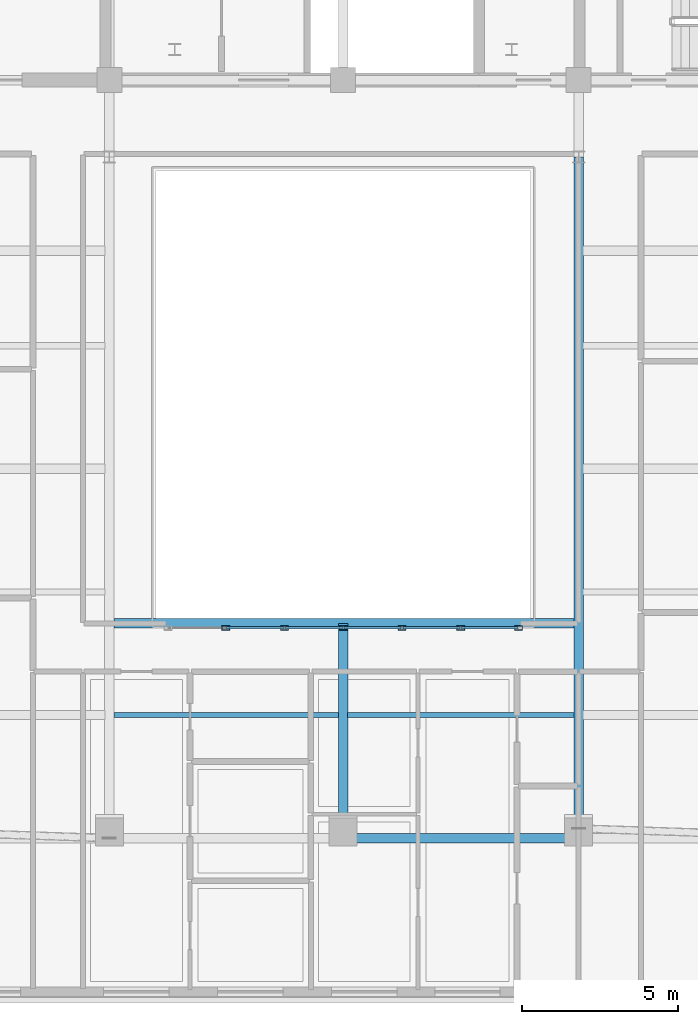
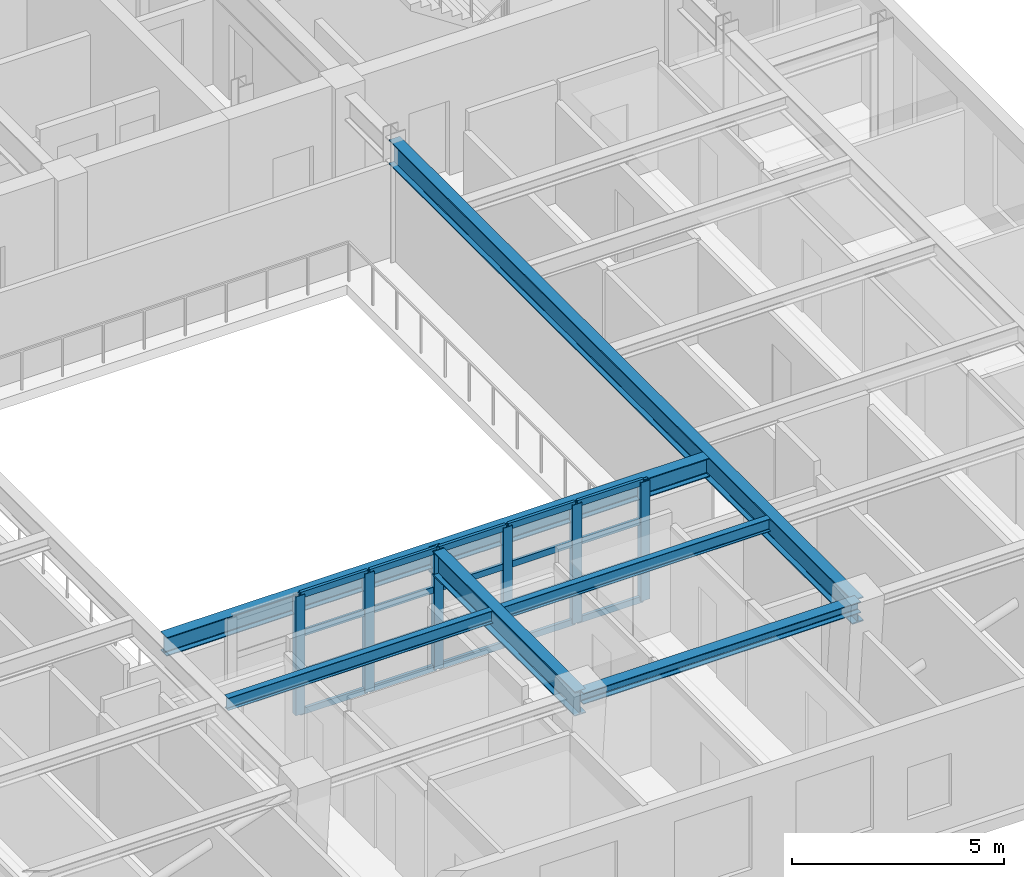
# One storey, part 3 of 13: 26 members, 6 beams, 1 element without a shape of its own.
"""IFC4 building model written with IfcOpenShell, lengths in metres."""

import ifcopenshell
import ifcopenshell.guid

model = None  # the IFC model being written
_history = None  # IfcOwnerHistory: only IFC2X3 demands one
_inside = {}  # id of a spatial element -> (the spatial element, [elements in it])
_under = {}  # id of a project, library or spatial element -> (it, [spatial elements below it])
_declared = {}  # id of a project -> (the project, [libraries it declares])
_typed = {}  # id of a type object -> (the type object, [elements of that type])
_made_of = {}  # id of a material, layer set ... -> (it, [elements and type objects made of it])


def new_model(schema):
    """Start an empty IFC model of exactly this schema.

    Asked for "IFC4X3", IfcOpenShell would pick the latest addendum, in which some entities
    have other attributes; the version numbers below select the first issue.
    IFC2X3 requires an IfcOwnerHistory on every rooted entity: one is made here for all.
    """
    global model, _history
    if schema == "IFC4X3":
        model = ifcopenshell.file(schema_version=(4, 3, 0, 0))
    else:
        model = ifcopenshell.file(schema=schema)
    _inside.clear()
    _under.clear()
    _declared.clear()
    _typed.clear()
    _made_of.clear()
    _history = None
    if model.schema == "IFC2X3":
        org = make("IfcOrganization", Name="unknown")
        user = make(
            "IfcPersonAndOrganization",
            ThePerson=make("IfcPerson", FamilyName="unknown"),
            TheOrganization=org,
        )
        app = make(
            "IfcApplication",
            ApplicationDeveloper=org,
            Version="unknown",
            ApplicationFullName="unknown",
            ApplicationIdentifier="unknown",
        )
        _history = make(
            "IfcOwnerHistory",
            OwningUser=user,
            OwningApplication=app,
            ChangeAction="ADDED",
            CreationDate=0,
        )
    return model


def make(cls, **values):
    """One entity of the class cls with the attributes given. An attribute that is None is left unset."""
    return model.create_entity(
        cls, **{name: value for name, value in values.items() if value is not None}
    )


def rooted(cls, **values):
    """An entity with a GlobalId (a new one), such as an element, a storey or a relation."""
    return make(cls, GlobalId=ifcopenshell.guid.new(), OwnerHistory=_history, **values)


def si_unit(unit_type, name, prefix=None):
    """IfcSIUnit, for example si_unit("LENGTHUNIT", "METRE", prefix="MILLI")."""
    return make("IfcSIUnit", UnitType=unit_type, Prefix=prefix, Name=name)


def assignment(units):
    """IfcUnitAssignment: the units of a project."""
    return None if units is None else make("IfcUnitAssignment", Units=units)


def point(xyz):
    """IfcCartesianPoint."""
    return None if xyz is None else make("IfcCartesianPoint", Coordinates=xyz)


def direction(xyz):
    """IfcDirection."""
    return None if xyz is None else make("IfcDirection", DirectionRatios=xyz)


def frame(location, z_axis=None, x_axis=None):
    """IfcAxis2Placement3D, a coordinate frame: its origin and axes. An axis left out is left unset."""
    return make(
        "IfcAxis2Placement3D",
        Location=point(location),
        Axis=direction(z_axis),
        RefDirection=direction(x_axis),
    )


def frame_2d(location, x_axis=None):
    """IfcAxis2Placement2D, a coordinate frame in the plane: its origin and x axis."""
    return make(
        "IfcAxis2Placement2D", Location=point(location), RefDirection=direction(x_axis)
    )


def origin():
    """The frame at (0, 0, 0) with its axes left unset."""
    return frame((0.0, 0.0, 0.0))


def origin_2d():
    """The frame at (0, 0) in the plane with its x axis left unset."""
    return frame_2d((0.0, 0.0))


def place(relative_to, where):
    """IfcLocalPlacement: puts the frame where relative to a parent placement (None: the world)."""
    return make(
        "IfcLocalPlacement", PlacementRelTo=relative_to, RelativePlacement=where
    )


def context(
    kind, dimensions, precision=None, world=None, true_north=None, identifier=None
):
    """IfcGeometricRepresentationContext, for example the 3D "Model" context."""
    return make(
        "IfcGeometricRepresentationContext",
        ContextIdentifier=identifier,
        ContextType=kind,
        CoordinateSpaceDimension=dimensions,
        Precision=precision,
        WorldCoordinateSystem=world,
        TrueNorth=true_north,
    )


def subcontext(parent, identifier, kind, view, scale=None):
    """IfcGeometricRepresentationSubContext, for example "Body" below "Model"."""
    return make(
        "IfcGeometricRepresentationSubContext",
        ContextIdentifier=identifier,
        ContextType=kind,
        ParentContext=parent,
        TargetScale=scale,
        TargetView=view,
    )


def project(units=None, contexts=None):
    """IfcProject with its units and contexts."""
    return rooted(
        "IfcProject",
        Name="project",
        RepresentationContexts=contexts,
        UnitsInContext=assignment(units),
    )


def spatial(cls, under=None, at=None, **own):
    """A site, building, storey or space (cls), placed at a placement, below another one or the project."""
    s = rooted(cls, ObjectPlacement=at, **own)
    if under is not None:
        _under.setdefault(under.id(), (under, []))[1].append(s)
    return s


def profile(cls, at=None, kind="AREA", **sizes):
    """A parametric profile (cls). Its sizes go by their IFC names, for example OverallWidth=200.0."""
    return make(cls, ProfileType=kind, Position=at, **sizes)


def hollow_rectangle(**sizes):
    """IfcRectangleHollowProfileDef."""
    return profile("IfcRectangleHollowProfileDef", **sizes)


def i_section(**sizes):
    """IfcIShapeProfileDef."""
    return profile("IfcIShapeProfileDef", **sizes)


def extrude(swept, where, along, depth):
    """IfcExtrudedAreaSolid: the profile swept, set in the frame where, extruded along a direction by depth."""
    return make(
        "IfcExtrudedAreaSolid",
        SweptArea=swept,
        Position=where,
        ExtrudedDirection=direction(along),
        Depth=depth,
    )


def shape(context_of_items, identifier, shape_type, items):
    """IfcShapeRepresentation: the items that make up one representation, for example the "Body"."""
    return make(
        "IfcShapeRepresentation",
        ContextOfItems=context_of_items,
        RepresentationIdentifier=identifier,
        RepresentationType=shape_type,
        Items=items,
    )


def material(Name=None, Category=None):
    """IfcMaterial."""
    return make("IfcMaterial", Name=Name, Category=Category)


def layer(
    of_material, thickness, ventilated=None, Name=None, Category=None, Priority=None
):
    """IfcMaterialLayer: one layer of a wall or slab, of a material (None: an air gap)."""
    return make(
        "IfcMaterialLayer",
        Material=of_material,
        LayerThickness=thickness,
        IsVentilated=ventilated,
        Name=Name,
        Category=Category,
        Priority=Priority,
    )


def layer_set(layers, Name=None):
    """IfcMaterialLayerSet."""
    return make("IfcMaterialLayerSet", MaterialLayers=layers, LayerSetName=Name)


def material_profile(
    of_material, cross_section, Name=None, Category=None, Priority=None
):
    """IfcMaterialProfile: a cross section and its material."""
    return make(
        "IfcMaterialProfile",
        Name=Name,
        Material=of_material,
        Profile=cross_section,
        Priority=Priority,
        Category=Category,
    )


def profile_set(profiles, Name=None, composite=None):
    """IfcMaterialProfileSet."""
    return make(
        "IfcMaterialProfileSet",
        Name=Name,
        MaterialProfiles=profiles,
        CompositeProfile=composite,
    )


def made_of(thing, what):
    """Note that an element or type object is made of a material, layer set ...; save() writes the relation."""
    if what is not None:
        _made_of.setdefault(what.id(), (what, []))[1].append(thing)
    return thing


def type_object(cls, material=None, **own):
    """A type object (cls), such as IfcWallType, which elements share."""
    return made_of(rooted(cls, **own), material)


def element(
    cls,
    number,
    at=None,
    inside=None,
    cuts=None,
    type_object=None,
    material=None,
    context=None,
    identifier="Body",
    shape_type=None,
    held_by="IfcProductDefinitionShape",
    body=None,
    shapes=None,
    **own,
):
    """One element of the class cls, such as IfcWall. Its Tag is "e" and its number.

    at: its placement. inside: the storey or other place that contains it. cuts: it is an
    opening in that element (IfcRelVoidsElement). A single representation is given by context,
    identifier, shape_type and body (its items); several are given by shapes. held_by: the class
    of the entity that holds the representations. save() writes the other relations.
    """
    e = rooted(cls, Tag="e%d" % number, ObjectPlacement=at, **own)
    if body is not None:
        shapes = [shape(context, identifier, shape_type, body)]
    if shapes is not None:
        e.Representation = make(held_by, Representations=shapes)
    if inside is not None:
        _inside.setdefault(inside.id(), (inside, []))[1].append(e)
    if cuts is not None:
        rooted(
            "IfcRelVoidsElement", RelatingBuildingElement=cuts, RelatedOpeningElement=e
        )
    if type_object is not None:
        _typed.setdefault(type_object.id(), (type_object, []))[1].append(e)
    return made_of(e, material)


def aggregate(whole, parts):
    """IfcRelAggregates: a whole, such as a stair, and the parts it consists of."""
    return rooted("IfcRelAggregates", RelatingObject=whole, RelatedObjects=parts)


def save(model, path):
    """Write the relations noted so far, then the file.

    IfcRelAggregates (storeys below a building ...), IfcRelContainedInSpatialStructure (elements
    in a storey), IfcRelDefinesByType, IfcRelAssociatesMaterial and IfcRelDeclares: one each for
    every whole, place, type object, material and project.
    """
    for whole, parts in _under.values():
        aggregate(whole, parts)
    for where, things in _inside.values():
        rooted(
            "IfcRelContainedInSpatialStructure",
            RelatedElements=things,
            RelatingStructure=where,
        )
    for kind, things in _typed.values():
        rooted("IfcRelDefinesByType", RelatedObjects=things, RelatingType=kind)
    for what, things in _made_of.values():
        rooted("IfcRelAssociatesMaterial", RelatedObjects=things, RelatingMaterial=what)
    for by, libraries in _declared.values():
        rooted("IfcRelDeclares", RelatingContext=by, RelatedDefinitions=libraries)
    model.write(path)


model = new_model("IFC4")

# Units and contexts
model_context = context("Model", 3, precision=1e-05, world=origin(), true_north=direction((0.0, 1.0)))
body_context = subcontext(model_context, "Body", "Model", "MODEL_VIEW")
ifc_project = project(units=[si_unit("LENGTHUNIT", "METRE"), si_unit("AREAUNIT", "SQUARE_METRE"), si_unit("VOLUMEUNIT", "CUBIC_METRE"), si_unit("PLANEANGLEUNIT", "RADIAN"), si_unit("MASSUNIT", "GRAM", prefix="KILO")], contexts=[model_context])

# Site, building, storey
site_placement = place(None, origin())
site = spatial("IfcSite", under=ifc_project, at=site_placement, CompositionType="ELEMENT")
building_placement = place(site_placement, origin())
building = spatial("IfcBuilding", under=site, at=building_placement, Name="Zarnavel Station Tower", CompositionType="ELEMENT")
storey_placement = place(building_placement, frame((0.0, 0.0, 247.300048828125)))
storey = spatial("IfcBuildingStorey", under=building, at=storey_placement, Name="L67", CompositionType="ELEMENT", Elevation=247.300048828125)

# Curtain wall, members
ifc_material_1 = material(Name="Aluminium Dark Anodised and Solar-Control Glass", Category="aluminium")
ifc_layer = layer(ifc_material_1, 0.179931640625)
ifc_layer_set = layer_set([ifc_layer], Name="CWS6")
curtain_wall_type = type_object("IfcCurtainWallType", Name="CWS6", PredefinedType="NOTDEFINED", material=ifc_layer_set)
curtain_wall_placement = place(storey_placement, origin())
curtain_wall = element("IfcCurtainWall", 1, at=curtain_wall_placement, inside=storey, type_object=curtain_wall_type, Name="L67 Curtain Wall CWS6-L67-AS", PredefinedType="NOTDEFINED")
ifc_material_2 = material(Name="Steel S355J2 (Black Fluoropolymer Coated)", Category="steel")
ifc_material_profile_1 = material_profile(ifc_material_2, hollow_rectangle(XDim=0.14990234375, YDim=0.25, WallThickness=0.010009765625, at=origin_2d()), Name="RHS250x150x10")
ifc_profile_set_1 = profile_set([ifc_material_profile_1], Name="Steel S355J2 (Black Fluoropolymer Coated)")
member_type_1 = type_object("IfcMemberType", Name="CWS6_MUL", PredefinedType="MULLION", material=ifc_profile_set_1)
member_1_placement = place(storey_placement, frame((25.033447265625, 10.25, 0.0), z_axis=(0.0, 0.0, 1.0), x_axis=(0.0, 1.0, 0.0)))
member_1 = element("IfcMember", 2, at=member_1_placement, type_object=member_type_1, Name="CW6 mullion 2", PredefinedType="MULLION", context=body_context, shape_type="SweptSolid", body=[
    extrude(hollow_rectangle(XDim=0.14990234375, YDim=0.25, WallThickness=0.010009765625, at=origin_2d()), origin(), (0.0, 0.0, 1.0), 3.419921875),
])
member_2_placement = place(storey_placement, frame((26.916748046875, 10.25, 0.0), z_axis=(0.0, 0.0, 1.0), x_axis=(0.0, 1.0, 0.0)))
member_2 = element("IfcMember", 3, at=member_2_placement, type_object=member_type_1, Name="CW6 mullion 3", PredefinedType="MULLION", context=body_context, shape_type="SweptSolid", body=[
    extrude(hollow_rectangle(XDim=0.14990234375, YDim=0.25, WallThickness=0.010009765625, at=origin_2d()), origin(), (0.0, 0.0, 1.0), 3.419921875),
])
member_3_placement = place(storey_placement, frame((28.800048828125, 10.25, 0.0), z_axis=(0.0, 0.0, 1.0), x_axis=(0.0, 1.0, 0.0)))
member_3 = element("IfcMember", 4, at=member_3_placement, type_object=member_type_1, Name="CW6 mullion 4", PredefinedType="MULLION", context=body_context, shape_type="SweptSolid", body=[
    extrude(hollow_rectangle(XDim=0.14990234375, YDim=0.25, WallThickness=0.010009765625, at=origin_2d()), origin(), (0.0, 0.0, 1.0), 3.419921875),
])
member_4_placement = place(storey_placement, frame((30.683349609375, 10.25, 0.0), z_axis=(0.0, 0.0, 1.0), x_axis=(0.0, 1.0, 0.0)))
member_4 = element("IfcMember", 5, at=member_4_placement, type_object=member_type_1, Name="CW6 mullion 5", PredefinedType="MULLION", context=body_context, shape_type="SweptSolid", body=[
    extrude(hollow_rectangle(XDim=0.14990234375, YDim=0.25, WallThickness=0.010009765625, at=origin_2d()), origin(), (0.0, 0.0, 1.0), 3.419921875),
])
member_5_placement = place(storey_placement, frame((32.566650390625, 10.25, 0.0), z_axis=(0.0, 0.0, 1.0), x_axis=(0.0, 1.0, 0.0)))
member_5 = element("IfcMember", 6, at=member_5_placement, type_object=member_type_1, Name="CW6 mullion 6", PredefinedType="MULLION", context=body_context, shape_type="SweptSolid", body=[
    extrude(hollow_rectangle(XDim=0.14990234375, YDim=0.25, WallThickness=0.010009765625, at=origin_2d()), origin(), (0.0, 0.0, 1.0), 3.419921875),
])
member_6_placement = place(storey_placement, frame((34.419921875, 10.25, 0.0), z_axis=(0.0, 0.0, 1.0), x_axis=(0.0, 1.0, 0.0)))
member_6 = element("IfcMember", 7, at=member_6_placement, type_object=member_type_1, Name="CW6 mullion 7", PredefinedType="MULLION", context=body_context, shape_type="SweptSolid", body=[
    extrude(hollow_rectangle(XDim=0.14990234375, YDim=0.25, WallThickness=0.010009765625, at=origin_2d()), origin(), (0.0, 0.0, 1.0), 3.419921875),
])
ifc_material_3 = material(Name="Steel S355J2 (Black Fluoropolymer Coated)", Category="steel")
ifc_material_profile_2 = material_profile(ifc_material_3, hollow_rectangle(XDim=0.080078125, YDim=0.179931640625, WallThickness=0.00634765625, at=origin_2d()), Name="RHS180x80x6.3")
ifc_profile_set_2 = profile_set([ifc_material_profile_2], Name="Steel S355J2 (Black Fluoropolymer Coated)")
member_type_2 = type_object("IfcMemberType", Name="CWS6_TRN", PredefinedType="USERDEFINED", material=ifc_profile_set_2)
member_7_placement = place(storey_placement, frame((25.063232421875, 10.25, 0.030029296875), z_axis=(1.0, 0.0, 0.0), x_axis=(0.0, 1.0, 0.0)))
member_7 = element("IfcMember", 8, at=member_7_placement, type_object=member_type_2, Name="CW6 transom 2.1", ObjectType="TRANSOM", PredefinedType="USERDEFINED", context=body_context, shape_type="SweptSolid", body=[
    extrude(hollow_rectangle(XDim=0.080078125, YDim=0.179931640625, WallThickness=0.00634765625, at=origin_2d()), origin(), (0.0, 0.0, 1.0), 1.823486328125),
])
member_8_placement = place(storey_placement, frame((25.063232421875, 10.25, 1.139892578125), z_axis=(1.0, 0.0, 0.0), x_axis=(0.0, 1.0, 0.0)))
member_8 = element("IfcMember", 9, at=member_8_placement, type_object=member_type_2, Name="CW6 transom 2.2", ObjectType="TRANSOM", PredefinedType="USERDEFINED", context=body_context, shape_type="SweptSolid", body=[
    extrude(hollow_rectangle(XDim=0.080078125, YDim=0.179931640625, WallThickness=0.00634765625, at=origin_2d()), origin(), (0.0, 0.0, 1.0), 1.823486328125),
])
member_9_placement = place(storey_placement, frame((25.063232421875, 10.25, 2.280029296875), z_axis=(1.0, 0.0, 0.0), x_axis=(0.0, 1.0, 0.0)))
member_9 = element("IfcMember", 10, at=member_9_placement, type_object=member_type_2, Name="CW6 transom 2.3", ObjectType="TRANSOM", PredefinedType="USERDEFINED", context=body_context, shape_type="SweptSolid", body=[
    extrude(hollow_rectangle(XDim=0.080078125, YDim=0.179931640625, WallThickness=0.00634765625, at=origin_2d()), origin(), (0.0, 0.0, 1.0), 1.823486328125),
])
member_10_placement = place(storey_placement, frame((25.063232421875, 10.25, 3.389892578125), z_axis=(1.0, 0.0, 0.0), x_axis=(0.0, 1.0, 0.0)))
member_10 = element("IfcMember", 11, at=member_10_placement, type_object=member_type_2, Name="CW6 transom 2.4", ObjectType="TRANSOM", PredefinedType="USERDEFINED", context=body_context, shape_type="SweptSolid", body=[
    extrude(hollow_rectangle(XDim=0.080078125, YDim=0.179931640625, WallThickness=0.00634765625, at=origin_2d()), origin(), (0.0, 0.0, 1.0), 1.823486328125),
])
member_11_placement = place(storey_placement, frame((26.94677734375, 10.25, 0.030029296875), z_axis=(1.0, 0.0, 0.0), x_axis=(0.0, 1.0, 0.0)))
member_11 = element("IfcMember", 12, at=member_11_placement, type_object=member_type_2, Name="CW6 transom 3.1", ObjectType="TRANSOM", PredefinedType="USERDEFINED", context=body_context, shape_type="SweptSolid", body=[
    extrude(hollow_rectangle(XDim=0.080078125, YDim=0.179931640625, WallThickness=0.00634765625, at=origin_2d()), origin(), (0.0, 0.0, 1.0), 1.8232421875),
])
member_12_placement = place(storey_placement, frame((26.94677734375, 10.25, 1.139892578125), z_axis=(1.0, 0.0, 0.0), x_axis=(0.0, 1.0, 0.0)))
member_12 = element("IfcMember", 13, at=member_12_placement, type_object=member_type_2, Name="CW6 transom 3.2", ObjectType="TRANSOM", PredefinedType="USERDEFINED", context=body_context, shape_type="SweptSolid", body=[
    extrude(hollow_rectangle(XDim=0.080078125, YDim=0.179931640625, WallThickness=0.00634765625, at=origin_2d()), origin(), (0.0, 0.0, 1.0), 1.8232421875),
])
member_13_placement = place(storey_placement, frame((26.94677734375, 10.25, 2.280029296875), z_axis=(1.0, 0.0, 0.0), x_axis=(0.0, 1.0, 0.0)))
member_13 = element("IfcMember", 14, at=member_13_placement, type_object=member_type_2, Name="CW6 transom 3.3", ObjectType="TRANSOM", PredefinedType="USERDEFINED", context=body_context, shape_type="SweptSolid", body=[
    extrude(hollow_rectangle(XDim=0.080078125, YDim=0.179931640625, WallThickness=0.00634765625, at=origin_2d()), origin(), (0.0, 0.0, 1.0), 1.8232421875),
])
member_14_placement = place(storey_placement, frame((26.94677734375, 10.25, 3.389892578125), z_axis=(1.0, 0.0, 0.0), x_axis=(0.0, 1.0, 0.0)))
member_14 = element("IfcMember", 15, at=member_14_placement, type_object=member_type_2, Name="CW6 transom 3.4", ObjectType="TRANSOM", PredefinedType="USERDEFINED", context=body_context, shape_type="SweptSolid", body=[
    extrude(hollow_rectangle(XDim=0.080078125, YDim=0.179931640625, WallThickness=0.00634765625, at=origin_2d()), origin(), (0.0, 0.0, 1.0), 1.8232421875),
])
member_15_placement = place(storey_placement, frame((28.830078125, 10.25, 0.030029296875), z_axis=(1.0, 0.0, 0.0), x_axis=(0.0, 1.0, 0.0)))
member_15 = element("IfcMember", 16, at=member_15_placement, type_object=member_type_2, Name="CW6 transom 4.1", ObjectType="TRANSOM", PredefinedType="USERDEFINED", context=body_context, shape_type="SweptSolid", body=[
    extrude(hollow_rectangle(XDim=0.080078125, YDim=0.179931640625, WallThickness=0.00634765625, at=origin_2d()), origin(), (0.0, 0.0, 1.0), 1.8232421875),
])
member_16_placement = place(storey_placement, frame((28.830078125, 10.25, 1.139892578125), z_axis=(1.0, 0.0, 0.0), x_axis=(0.0, 1.0, 0.0)))
member_16 = element("IfcMember", 17, at=member_16_placement, type_object=member_type_2, Name="CW6 transom 4.2", ObjectType="TRANSOM", PredefinedType="USERDEFINED", context=body_context, shape_type="SweptSolid", body=[
    extrude(hollow_rectangle(XDim=0.080078125, YDim=0.179931640625, WallThickness=0.00634765625, at=origin_2d()), origin(), (0.0, 0.0, 1.0), 1.8232421875),
])
member_17_placement = place(storey_placement, frame((28.830078125, 10.25, 2.280029296875), z_axis=(1.0, 0.0, 0.0), x_axis=(0.0, 1.0, 0.0)))
member_17 = element("IfcMember", 18, at=member_17_placement, type_object=member_type_2, Name="CW6 transom 4.3", ObjectType="TRANSOM", PredefinedType="USERDEFINED", context=body_context, shape_type="SweptSolid", body=[
    extrude(hollow_rectangle(XDim=0.080078125, YDim=0.179931640625, WallThickness=0.00634765625, at=origin_2d()), origin(), (0.0, 0.0, 1.0), 1.8232421875),
])
member_18_placement = place(storey_placement, frame((28.830078125, 10.25, 3.389892578125), z_axis=(1.0, 0.0, 0.0), x_axis=(0.0, 1.0, 0.0)))
member_18 = element("IfcMember", 19, at=member_18_placement, type_object=member_type_2, Name="CW6 transom 4.4", ObjectType="TRANSOM", PredefinedType="USERDEFINED", context=body_context, shape_type="SweptSolid", body=[
    extrude(hollow_rectangle(XDim=0.080078125, YDim=0.179931640625, WallThickness=0.00634765625, at=origin_2d()), origin(), (0.0, 0.0, 1.0), 1.8232421875),
])
member_19_placement = place(storey_placement, frame((30.71337890625, 10.25, 0.030029296875), z_axis=(1.0, 0.0, 0.0), x_axis=(0.0, 1.0, 0.0)))
member_19 = element("IfcMember", 20, at=member_19_placement, type_object=member_type_2, Name="CW6 transom 5.1", ObjectType="TRANSOM", PredefinedType="USERDEFINED", context=body_context, shape_type="SweptSolid", body=[
    extrude(hollow_rectangle(XDim=0.080078125, YDim=0.179931640625, WallThickness=0.00634765625, at=origin_2d()), origin(), (0.0, 0.0, 1.0), 1.8232421875),
])
member_20_placement = place(storey_placement, frame((30.71337890625, 10.25, 1.139892578125), z_axis=(1.0, 0.0, 0.0), x_axis=(0.0, 1.0, 0.0)))
member_20 = element("IfcMember", 21, at=member_20_placement, type_object=member_type_2, Name="CW6 transom 5.2", ObjectType="TRANSOM", PredefinedType="USERDEFINED", context=body_context, shape_type="SweptSolid", body=[
    extrude(hollow_rectangle(XDim=0.080078125, YDim=0.179931640625, WallThickness=0.00634765625, at=origin_2d()), origin(), (0.0, 0.0, 1.0), 1.8232421875),
])
member_21_placement = place(storey_placement, frame((30.71337890625, 10.25, 2.280029296875), z_axis=(1.0, 0.0, 0.0), x_axis=(0.0, 1.0, 0.0)))
member_21 = element("IfcMember", 22, at=member_21_placement, type_object=member_type_2, Name="CW6 transom 5.3", ObjectType="TRANSOM", PredefinedType="USERDEFINED", context=body_context, shape_type="SweptSolid", body=[
    extrude(hollow_rectangle(XDim=0.080078125, YDim=0.179931640625, WallThickness=0.00634765625, at=origin_2d()), origin(), (0.0, 0.0, 1.0), 1.8232421875),
])
member_22_placement = place(storey_placement, frame((30.71337890625, 10.25, 3.389892578125), z_axis=(1.0, 0.0, 0.0), x_axis=(0.0, 1.0, 0.0)))
member_22 = element("IfcMember", 23, at=member_22_placement, type_object=member_type_2, Name="CW6 transom 5.4", ObjectType="TRANSOM", PredefinedType="USERDEFINED", context=body_context, shape_type="SweptSolid", body=[
    extrude(hollow_rectangle(XDim=0.080078125, YDim=0.179931640625, WallThickness=0.00634765625, at=origin_2d()), origin(), (0.0, 0.0, 1.0), 1.8232421875),
])
member_23_placement = place(storey_placement, frame((32.5966796875, 10.25, 0.030029296875), z_axis=(1.0, 0.0, 0.0), x_axis=(0.0, 1.0, 0.0)))
member_23 = element("IfcMember", 24, at=member_23_placement, type_object=member_type_2, Name="CW6 transom 6.1", ObjectType="TRANSOM", PredefinedType="USERDEFINED", context=body_context, shape_type="SweptSolid", body=[
    extrude(hollow_rectangle(XDim=0.080078125, YDim=0.179931640625, WallThickness=0.00634765625, at=origin_2d()), origin(), (0.0, 0.0, 1.0), 1.793212890625),
])
member_24_placement = place(storey_placement, frame((32.5966796875, 10.25, 1.139892578125), z_axis=(1.0, 0.0, 0.0), x_axis=(0.0, 1.0, 0.0)))
member_24 = element("IfcMember", 25, at=member_24_placement, type_object=member_type_2, Name="CW6 transom 6.2", ObjectType="TRANSOM", PredefinedType="USERDEFINED", context=body_context, shape_type="SweptSolid", body=[
    extrude(hollow_rectangle(XDim=0.080078125, YDim=0.179931640625, WallThickness=0.00634765625, at=origin_2d()), origin(), (0.0, 0.0, 1.0), 1.793212890625),
])
member_25_placement = place(storey_placement, frame((32.5966796875, 10.25, 2.280029296875), z_axis=(1.0, 0.0, 0.0), x_axis=(0.0, 1.0, 0.0)))
member_25 = element("IfcMember", 26, at=member_25_placement, type_object=member_type_2, Name="CW6 transom 6.3", ObjectType="TRANSOM", PredefinedType="USERDEFINED", context=body_context, shape_type="SweptSolid", body=[
    extrude(hollow_rectangle(XDim=0.080078125, YDim=0.179931640625, WallThickness=0.00634765625, at=origin_2d()), origin(), (0.0, 0.0, 1.0), 1.793212890625),
])
member_26_placement = place(storey_placement, frame((32.5966796875, 10.25, 3.389892578125), z_axis=(1.0, 0.0, 0.0), x_axis=(0.0, 1.0, 0.0)))
member_26 = element("IfcMember", 27, at=member_26_placement, type_object=member_type_2, Name="CW6 transom 6.4", ObjectType="TRANSOM", PredefinedType="USERDEFINED", context=body_context, shape_type="SweptSolid", body=[
    extrude(hollow_rectangle(XDim=0.080078125, YDim=0.179931640625, WallThickness=0.00634765625, at=origin_2d()), origin(), (0.0, 0.0, 1.0), 1.793212890625),
])
aggregate(curtain_wall, [member_1, member_2, member_3, member_4, member_5, member_6, member_7, member_8, member_9, member_10, member_11, member_12, member_13, member_14, member_15, member_16, member_17, member_18, member_19, member_20, member_21, member_22, member_23, member_24, member_25, member_26])

# Beams
ifc_material_4 = material(Name="Steel S355J2", Category="steel")
ifc_material_profile_3 = material_profile(ifc_material_4, i_section(OverallWidth=0.300048828125, OverallDepth=0.320068359375, WebThickness=0.011474609375, FlangeThickness=0.0205078125, FilletRadius=0.027099609375, at=origin_2d()), Name="HEB320")
ifc_profile_set_3 = profile_set([ifc_material_profile_3], Name="Steel S355J2")
beam_type_1 = type_object("IfcBeamType", Name="EB_HEB320", PredefinedType="SPANDREL", material=ifc_profile_set_3)
beam_1_placement = place(storey_placement, frame((28.800048828125, 3.5078125, 3.260009765625), z_axis=(1.0, 0.0, 0.0), x_axis=(0.0, 1.0, 0.0)))
element("IfcBeam", 28, at=beam_1_placement, inside=storey, type_object=beam_type_1, Name="L67 South Raked Spandrel 3", PredefinedType="SPANDREL", context=body_context, shape_type="SweptSolid", body=[
    extrude(i_section(OverallWidth=0.300048828125, OverallDepth=0.320068359375, WebThickness=0.011474609375, FlangeThickness=0.0205078125, FilletRadius=0.027099609375, at=origin_2d()), origin(), (0.0, 0.0, 1.0), 7.550048828125),
])
ifc_material_5 = material(Name="Steel S355J2", Category="steel")
ifc_material_profile_4 = material_profile(ifc_material_5, i_section(OverallWidth=0.300048828125, OverallDepth=0.5400390625, WebThickness=0.012451171875, FlangeThickness=0.02392578125, FilletRadius=0.027099609375, at=origin_2d()), Name="HEA550")
ifc_profile_set_4 = profile_set([ifc_material_profile_4], Name="Steel S355J2")
beam_type_2 = type_object("IfcBeamType", Name="FB_HEA550", PredefinedType="BEAM", material=ifc_profile_set_4)
beam_2_placement = place(storey_placement, frame((21.445068359375, 10.39990234375, 3.14990234375), z_axis=(1.0, 0.0, 0.0), x_axis=(0.0, 1.0, 0.0)))
element("IfcBeam", 29, at=beam_2_placement, inside=storey, type_object=beam_type_2, Name="L67 Atrium South Edge Girder", PredefinedType="BEAM", context=body_context, shape_type="SweptSolid", body=[
    extrude(i_section(OverallWidth=0.300048828125, OverallDepth=0.5400390625, WebThickness=0.012451171875, FlangeThickness=0.02392578125, FilletRadius=0.027099609375, at=origin_2d()), origin(), (0.0, 0.0, 1.0), 14.760009765625),
])
ifc_material_6 = material(Name="Steel S355J2", Category="steel")
ifc_material_profile_5 = material_profile(ifc_material_6, i_section(OverallWidth=0.300048828125, OverallDepth=0.699951171875, WebThickness=0.01708984375, FlangeThickness=0.031982421875, FilletRadius=0.027099609375, at=origin_2d()), Name="HEB700")
ifc_profile_set_5 = profile_set([ifc_material_profile_5], Name="Steel S355J2")
beam_type_3 = type_object("IfcBeamType", Name="FG_HEB700", PredefinedType="USERDEFINED", material=ifc_profile_set_5)
beam_3_placement = place(storey_placement, frame((28.800048828125, 3.5078125, 3.070068359375), z_axis=(0.0, 1.0, 0.0), x_axis=(-1.0, 0.0, 0.0)))
element("IfcBeam", 30, at=beam_3_placement, inside=storey, type_object=beam_type_3, Name="L67 Central Atrium-South Girder", ObjectType="GIRDER", PredefinedType="USERDEFINED", context=body_context, shape_type="SweptSolid", body=[
    extrude(i_section(OverallWidth=0.300048828125, OverallDepth=0.699951171875, WebThickness=0.01708984375, FlangeThickness=0.031982421875, FilletRadius=0.027099609375, at=origin_2d()), origin(), (0.0, 0.0, 1.0), 6.89208984375),
])
beam_4_placement = place(storey_placement, frame((36.35009765625, 3.5078125, 3.070068359375), z_axis=(0.0, 1.0, 0.0), x_axis=(-1.0, 0.0, 0.0)))
element("IfcBeam", 31, at=beam_4_placement, inside=storey, type_object=beam_type_3, Name="L67 South-Zone NS Girder 4", ObjectType="GIRDER", PredefinedType="USERDEFINED", context=body_context, shape_type="SweptSolid", body=[
    extrude(i_section(OverallWidth=0.300048828125, OverallDepth=0.699951171875, WebThickness=0.01708984375, FlangeThickness=0.031982421875, FilletRadius=0.027099609375, at=origin_2d()), origin(), (0.0, 0.0, 1.0), 21.84228515625),
])
ifc_material_7 = material(Name="Steel S355J2", Category="steel")
ifc_material_profile_6 = material_profile(ifc_material_7, i_section(OverallWidth=0.169921875, OverallDepth=0.360107421875, WebThickness=0.008056640625, FlangeThickness=0.0126953125, FilletRadius=0.01806640625, at=origin_2d()), Name="IPE360")
ifc_profile_set_6 = profile_set([ifc_material_profile_6], Name="Steel S355J2")
beam_type_4 = type_object("IfcBeamType", Name="FJ_IPE360", PredefinedType="JOIST", material=ifc_profile_set_6)
beam_5_placement = place(storey_placement, frame((21.445068359375, 7.456298828125, 3.239990234375), z_axis=(1.0, 0.0, 0.0), x_axis=(0.0, 1.0, 0.0)))
element("IfcBeam", 32, at=beam_5_placement, inside=storey, type_object=beam_type_4, Name="L67 Mid-West Joist 1", PredefinedType="JOIST", context=body_context, shape_type="SweptSolid", body=[
    extrude(i_section(OverallWidth=0.169921875, OverallDepth=0.360107421875, WebThickness=0.008056640625, FlangeThickness=0.0126953125, FilletRadius=0.01806640625, at=origin_2d()), origin(), (0.0, 0.0, 1.0), 7.2099609375),
])
beam_6_placement = place(storey_placement, frame((28.945068359375, 7.456298828125, 3.239990234375), z_axis=(1.0, 0.0, 0.0), x_axis=(0.0, 1.0, 0.0)))
element("IfcBeam", 33, at=beam_6_placement, inside=storey, type_object=beam_type_4, Name="L67 Mid-East Joist 1", PredefinedType="JOIST", context=body_context, shape_type="SweptSolid", body=[
    extrude(i_section(OverallWidth=0.169921875, OverallDepth=0.360107421875, WebThickness=0.008056640625, FlangeThickness=0.0126953125, FilletRadius=0.01806640625, at=origin_2d()), origin(), (0.0, 0.0, 1.0), 7.260009765625),
])

save(model, "model.ifc")
